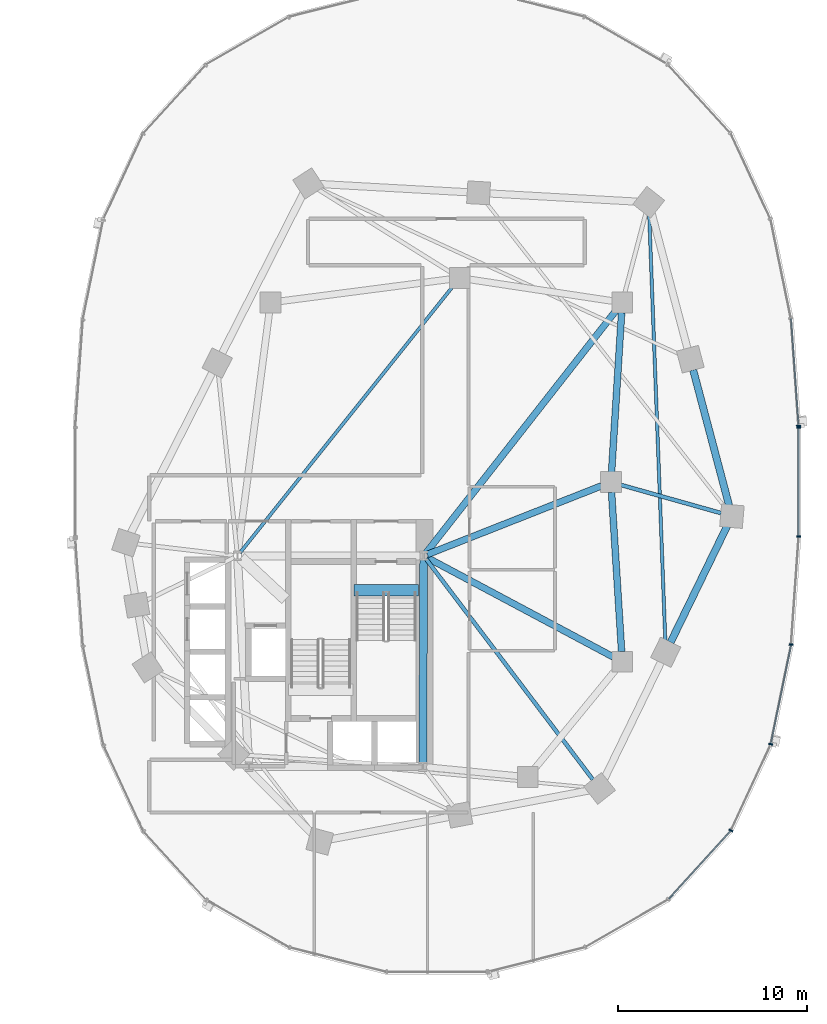
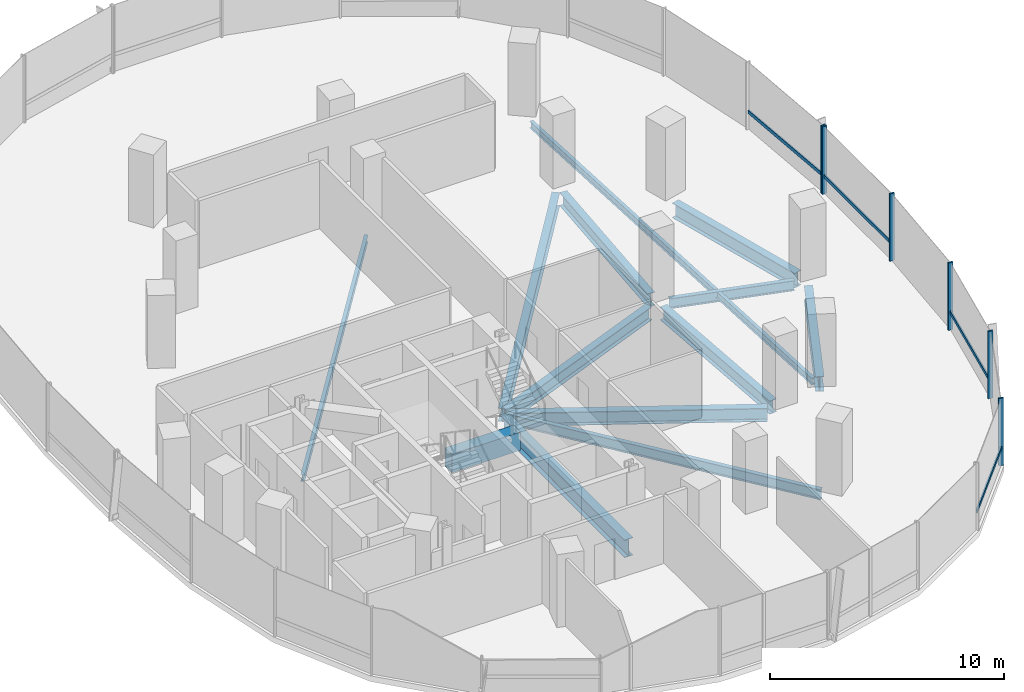
# One storey, part 6 of 21: 13 beams, 10 members, 2 elements without a shape of their own.
"""IFC4 building model written with IfcOpenShell, lengths in metres."""

from ifc_helpers import new_model, si_unit, direction, frame, origin, origin_2d, place, context, subcontext, project, spatial, rectangle, i_section, extrude, material, material_profile, profile_set, type_object, element, aggregate, save


model = new_model("IFC4")

# Units and contexts
model_context = context("Model", 3, precision=1e-05, world=origin(), true_north=direction((0.0, 1.0)))
body_context = subcontext(model_context, "Body", "Model", "MODEL_VIEW")
ifc_project = project(units=[si_unit("LENGTHUNIT", "METRE"), si_unit("AREAUNIT", "SQUARE_METRE"), si_unit("VOLUMEUNIT", "CUBIC_METRE"), si_unit("PLANEANGLEUNIT", "RADIAN"), si_unit("MASSUNIT", "GRAM", prefix="KILO"), si_unit("THERMODYNAMICTEMPERATUREUNIT", "KELVIN"), si_unit("POWERUNIT", "WATT")], contexts=[model_context])

# Site, building, storey
site_placement = place(None, origin())
site = spatial("IfcSite", under=ifc_project, at=site_placement, CompositionType="ELEMENT")
building_placement = place(site_placement, origin())
building = spatial("IfcBuilding", under=site, at=building_placement, Name="Cundina Bronze Exchange", CompositionType="ELEMENT")
storey_placement = place(building_placement, frame((0.0, 0.0, 73.39990234375)))
storey = spatial("IfcBuildingStorey", under=building, at=storey_placement, Name="L18", CompositionType="ELEMENT", Elevation=73.39990234375)

# Beams
ifc_material_1 = material(Name="Concrete C60/75", Category="concrete")
ifc_material_profile_1 = material_profile(ifc_material_1, rectangle(XDim=0.60009765625, YDim=0.949951171875, at=origin_2d()), Name="RC600X950", Category="concrete")
ifc_profile_set_1 = profile_set([ifc_material_profile_1], Name="Concrete C60/75")
beam_type_1 = type_object("IfcBeamType", Name="BM-COUP-RC950", PredefinedType="LINTEL", material=ifc_profile_set_1)
beam_1_placement = place(storey_placement, frame((27.6201171875, -5.719970703125, -0.474853515625), z_axis=(1.0, 0.0, 0.0), x_axis=(0.0, 1.0, 0.0)))
element("IfcBeam", 1, at=beam_1_placement, inside=storey, type_object=beam_type_1, Name="L18 Stair E1 Landing Header Beam", PredefinedType="LINTEL", context=body_context, shape_type="SweptSolid", body=[
    extrude(rectangle(XDim=0.60009765625, YDim=0.949951171875, at=origin_2d()), origin(), (0.0, 0.0, 1.0), 3.39990234375),
])
ifc_material_2 = material(Name="Steel ASTM A992 Grade 50", Category="steel")
ifc_material_profile_2 = material_profile(ifc_material_2, i_section(OverallWidth=0.2099609375, OverallDepth=0.532958984375, WebThickness=0.01025390625, FlangeThickness=0.015625, FilletRadius=0.013916015625, at=origin_2d()), Name="W21X62", Category="steel")
ifc_profile_set_2 = profile_set([ifc_material_profile_2], Name="Steel ASTM A992 Grade 50")
beam_type_2 = type_object("IfcBeamType", Name="BM-FLR-W21B", PredefinedType="BEAM", material=ifc_profile_set_2)
beam_2_placement = place(storey_placement, frame((31.423095703125, -4.062744140625, -0.56640625), z_axis=(0.603106461849, -0.797660702101, 0.0), x_axis=(0.797660702101, 0.603106461849, 0.0)))
element("IfcBeam", 2, at=beam_2_placement, inside=storey, type_object=beam_type_2, Name="L18 Leg E Chordal Floor Beam 06", PredefinedType="BEAM", context=body_context, shape_type="SweptSolid", body=[
    extrude(i_section(OverallWidth=0.2099609375, OverallDepth=0.532958984375, WebThickness=0.01025390625, FlangeThickness=0.015625, FilletRadius=0.013916015625, at=origin_2d()), origin(), (0.0, 0.0, 1.0), 14.6279296875),
])
beam_3_placement = place(storey_placement, frame((41.718017578125, -0.145751953125, -0.56640625), z_axis=(0.962650219971, -0.270748137554, 0.0), x_axis=(0.270748137554, 0.962650219971, 0.0)))
element("IfcBeam", 3, at=beam_3_placement, inside=storey, type_object=beam_type_2, Name="L18 Leg E Chordal Floor Beam 08", PredefinedType="BEAM", context=body_context, shape_type="SweptSolid", body=[
    extrude(i_section(OverallWidth=0.2099609375, OverallDepth=0.532958984375, WebThickness=0.01025390625, FlangeThickness=0.015625, FilletRadius=0.013916015625, at=origin_2d()), origin(), (0.0, 0.0, 1.0), 5.522216796875),
])
ifc_material_profile_3 = material_profile(ifc_material_2, i_section(OverallWidth=0.172119140625, OverallDepth=0.35791015625, WebThickness=0.0078125, FlangeThickness=0.01318359375, FilletRadius=0.010009765625, at=origin_2d()), Name="W14X38", Category="steel")
ifc_profile_set_3 = profile_set([ifc_material_profile_3], Name="Steel ASTM A992 Grade 50")
beam_type_3 = type_object("IfcBeamType", Name="BM-JST-W14", PredefinedType="JOIST", material=ifc_profile_set_3)
beam_4_placement = place(storey_placement, frame((21.577392578125, -3.740478515625, -0.47900390625), z_axis=(0.62436887964, 0.781129632095, 0.0), x_axis=(-0.781129632095, 0.62436887964, 0.0)))
element("IfcBeam", 4, at=beam_4_placement, inside=storey, type_object=beam_type_3, Name="L18 E Interior Core-to-Ring Joist 2", PredefinedType="JOIST", context=body_context, shape_type="SweptSolid", body=[
    extrude(i_section(OverallWidth=0.172119140625, OverallDepth=0.35791015625, WebThickness=0.0078125, FlangeThickness=0.01318359375, FilletRadius=0.010009765625, at=origin_2d()), origin(), (0.0, 0.0, 1.0), 18.076904296875),
])
beam_5_placement = place(storey_placement, frame((44.077880859375, -8.412353515625, -0.47900390625), z_axis=(-0.037794949147, 0.999285515666, 0.0), x_axis=(-0.999285515666, -0.037794949147, 0.0)))
element("IfcBeam", 5, at=beam_5_placement, inside=storey, type_object=beam_type_3, Name="L18 Leg E Lobe Floor Joist 07-10", PredefinedType="JOIST", context=body_context, shape_type="SweptSolid", body=[
    extrude(i_section(OverallWidth=0.172119140625, OverallDepth=0.35791015625, WebThickness=0.0078125, FlangeThickness=0.01318359375, FilletRadius=0.010009765625, at=origin_2d()), origin(), (0.0, 0.0, 1.0), 22.640869140625),
])
ifc_material_profile_4 = material_profile(ifc_material_2, i_section(OverallWidth=0.35498046875, OverallDepth=0.695068359375, WebThickness=0.015380859375, FlangeThickness=0.02490234375, FilletRadius=0.01806640625, at=origin_2d()), Name="W27X146", Category="steel")
ifc_profile_set_4 = profile_set([ifc_material_profile_4], Name="Steel ASTM A992 Grade 50")
beam_type_4 = type_object("IfcBeamType", Name="BM-RING-W27", PredefinedType="USERDEFINED", material=ifc_profile_set_4)
for number, where, z_axis, x_axis, name in (
    (6, (41.76611328125, -8.963134765625, -0.6474609375), (-0.06303715519, 0.998011180832, 0.0), (-0.998011180832, -0.06303715519, 0.0), "L18 E Inner Structural Ring Girder 03"),
    (7, (41.23388671875, 0.536865234375, -0.6474609375), (0.06303715519, 0.998011180832, 0.0), (-0.998011180832, 0.06303715519, 0.0), "L18 E Inner Structural Ring Girder 04"),
):
    element("IfcBeam", number, at=place(storey_placement, frame(where, z_axis=z_axis, x_axis=x_axis)), inside=storey, type_object=beam_type_4, Name=name, ObjectType="GIRDER", PredefinedType="USERDEFINED", context=body_context, shape_type="SweptSolid", body=[
        extrude(i_section(OverallWidth=0.35498046875, OverallDepth=0.695068359375, WebThickness=0.015380859375, FlangeThickness=0.02490234375, FilletRadius=0.01806640625, at=origin_2d()), origin(), (0.0, 0.0, 1.0), 8.443115234375),
    ])
beam_6_placement = place(storey_placement, frame((31.48974609375, -3.8251953125, -0.6474609375), z_axis=(0.930413235418, 0.366512225388, 0.0), x_axis=(-0.366512225388, 0.930413235418, 0.0)))
element("IfcBeam", 8, at=beam_6_placement, inside=storey, type_object=beam_type_4, Name="L18 E Core-to-Waist Tie Beam 1", ObjectType="GIRDER", PredefinedType="USERDEFINED", context=body_context, shape_type="SweptSolid", body=[
    extrude(i_section(OverallWidth=0.35498046875, OverallDepth=0.695068359375, WebThickness=0.015380859375, FlangeThickness=0.02490234375, FilletRadius=0.01806640625, at=origin_2d()), origin(), (0.0, 0.0, 1.0), 9.8984375),
])
beam_7_placement = place(storey_placement, frame((31.47998046875, -3.99609375, -0.6474609375), z_axis=(0.882354758239, -0.470584828286, 0.0), x_axis=(0.470584828286, 0.882354758239, 0.0)))
element("IfcBeam", 9, at=beam_7_placement, inside=storey, type_object=beam_type_4, Name="L18 E Core-to-Waist Tie Beam 2", ObjectType="GIRDER", PredefinedType="USERDEFINED", context=body_context, shape_type="SweptSolid", body=[
    extrude(i_section(OverallWidth=0.35498046875, OverallDepth=0.695068359375, WebThickness=0.015380859375, FlangeThickness=0.02490234375, FilletRadius=0.01806640625, at=origin_2d()), origin(), (0.0, 0.0, 1.0), 11.157958984375),
])
beam_8_placement = place(storey_placement, frame((31.42578125, -3.739501953125, -0.6474609375), z_axis=(0.616789275748, 0.787128318206, 0.0), x_axis=(-0.787128318206, 0.616789275748, 0.0)))
element("IfcBeam", 10, at=beam_8_placement, inside=storey, type_object=beam_type_4, Name="L18 E Core-to-Waist Tie Beam 3", ObjectType="GIRDER", PredefinedType="USERDEFINED", context=body_context, shape_type="SweptSolid", body=[
    extrude(i_section(OverallWidth=0.35498046875, OverallDepth=0.695068359375, WebThickness=0.015380859375, FlangeThickness=0.02490234375, FilletRadius=0.01806640625, at=origin_2d()), origin(), (0.0, 0.0, 1.0), 16.281982421875),
])
ifc_material_profile_5 = material_profile(ifc_material_2, i_section(OverallWidth=0.381103515625, OverallDepth=0.77294921875, WebThickness=0.0166015625, FlangeThickness=0.027099609375, FilletRadius=0.01904296875, at=origin_2d()), Name="W30X173", Category="steel")
ifc_profile_set_5 = profile_set([ifc_material_profile_5], Name="Steel ASTM A992 Grade 50")
beam_type_5 = type_object("IfcBeamType", Name="BM-RING-W30", PredefinedType="USERDEFINED", material=ifc_profile_set_5)
beam_9_placement = place(storey_placement, frame((44.357177734375, -8.47119140625, -0.6865234375), z_axis=(0.437190698904, 0.899368830231, 0.0), x_axis=(-0.899368830231, 0.437190698904, 0.0)))
element("IfcBeam", 11, at=beam_9_placement, inside=storey, type_object=beam_type_5, Name="L18 E Perimeter Ring Girder 07", ObjectType="GIRDER", PredefinedType="USERDEFINED", context=body_context, shape_type="SweptSolid", body=[
    extrude(i_section(OverallWidth=0.381103515625, OverallDepth=0.77294921875, WebThickness=0.0166015625, FlangeThickness=0.027099609375, FilletRadius=0.01904296875, at=origin_2d()), origin(), (0.0, 0.0, 1.0), 6.82958984375),
])
beam_10_placement = place(storey_placement, frame((47.44921875, -1.231689453125, -0.6865234375), z_axis=(-0.256177785604, 0.966629682021, 0.0), x_axis=(-0.966629682021, -0.256177785604, 0.0)))
element("IfcBeam", 12, at=beam_10_placement, inside=storey, type_object=beam_type_5, Name="L18 E Perimeter Ring Girder 08", ObjectType="GIRDER", PredefinedType="USERDEFINED", context=body_context, shape_type="SweptSolid", body=[
    extrude(i_section(OverallWidth=0.381103515625, OverallDepth=0.77294921875, WebThickness=0.0166015625, FlangeThickness=0.027099609375, FilletRadius=0.01904296875, at=origin_2d()), origin(), (0.0, 0.0, 1.0), 7.41064453125),
])
ifc_material_profile_6 = material_profile(ifc_material_2, i_section(OverallWidth=0.41796875, OverallDepth=0.927001953125, WebThickness=0.019287109375, FlangeThickness=0.031982421875, FilletRadius=0.02392578125, at=origin_2d()), Name="W36X231", Category="steel")
ifc_profile_set_6 = profile_set([ifc_material_profile_6], Name="Steel ASTM A992 Grade 50")
beam_type_6 = type_object("IfcBeamType", Name="BM-WRN-W36B", PredefinedType="USERDEFINED", material=ifc_profile_set_6)
beam_11_placement = place(storey_placement, frame((31.2509765625, -14.845947265625, -0.763427734375), z_axis=(0.004477329608, 0.99998997671, 0.0), x_axis=(-0.99998997671, 0.004477329608, 0.0)))
element("IfcBeam", 13, at=beam_11_placement, inside=storey, type_object=beam_type_6, Name="L18 E Core Perimeter Tie Girder 4", ObjectType="GIRDER", PredefinedType="USERDEFINED", context=body_context, shape_type="SweptSolid", body=[
    extrude(i_section(OverallWidth=0.41796875, OverallDepth=0.927001953125, WebThickness=0.019287109375, FlangeThickness=0.031982421875, FilletRadius=0.02392578125, at=origin_2d()), origin(), (0.0, 0.0, 1.0), 10.741943359375),
])

# Curtain wall, member
ifc_material_3 = material(Name="Anodised Bronze Aluminium 6063-T6", Category="aluminium")
curtain_wall_type = type_object("IfcCurtainWallType", Name="CWS-TRD-LOW", PredefinedType="NOTDEFINED", material=ifc_material_3)
curtain_wall_1_placement = place(storey_placement, origin())
curtain_wall_1 = element("IfcCurtainWall", 14, at=curtain_wall_1_placement, inside=storey, type_object=curtain_wall_type, Name="L18 CW-02 Curtain Wall Run CWR-L18-E1", PredefinedType="NOTDEFINED")
ifc_material_profile_7 = material_profile(ifc_material_3, rectangle(XDim=0.074951171875, YDim=0.219970703125, at=origin_2d()), Name="AL75X220", Category="aluminium")
ifc_profile_set_7 = profile_set([ifc_material_profile_7], Name="Anodised Bronze Aluminium 6063-T6")
member_type_1 = type_object("IfcMemberType", Name="CWM-MUL-220", PredefinedType="MULLION", material=ifc_profile_set_7)
member_1_placement = place(storey_placement, frame((51.12451171875, 2.976318359375, 0.0), z_axis=(0.0, 0.0, 1.0), x_axis=(-0.070278787473, 0.997527389113, 0.0)))
member_1 = element("IfcMember", 15, at=member_1_placement, type_object=member_type_1, Name="CW-02 Mullion 1", PredefinedType="MULLION", context=body_context, shape_type="SweptSolid", body=[
    extrude(rectangle(XDim=0.074951171875, YDim=0.219970703125, at=origin_2d()), origin(), (0.0, 0.0, 1.0), 3.52001953125),
])

# Curtain wall, members
curtain_wall_2_placement = place(storey_placement, origin())
curtain_wall_2 = element("IfcCurtainWall", 16, at=curtain_wall_2_placement, inside=storey, type_object=curtain_wall_type, Name="L18 CW-02 Curtain Wall Run CWR-L18-E4", PredefinedType="NOTDEFINED")
member_2_placement = place(storey_placement, frame((47.544189453125, -18.423583984375, 0.0), z_axis=(0.0, 0.0, 1.0), x_axis=(0.42087749791, 0.907117485088, 0.0)))
member_2 = element("IfcMember", 17, at=member_2_placement, type_object=member_type_1, Name="CW-02 Mullion 4", PredefinedType="MULLION", context=body_context, shape_type="SweptSolid", body=[
    extrude(rectangle(XDim=0.074951171875, YDim=0.219970703125, at=origin_2d()), origin(), (0.0, 0.0, 1.0), 3.52001953125),
])
member_3_placement = place(storey_placement, frame((49.651123046875, -13.861328125, 0.0), z_axis=(0.0, 0.0, 1.0), x_axis=(0.201419845156, 0.979505000486, 0.0)))
member_3 = element("IfcMember", 18, at=member_3_placement, type_object=member_type_1, Name="CW-02 Mullion 5", PredefinedType="MULLION", context=body_context, shape_type="SweptSolid", body=[
    extrude(rectangle(XDim=0.074951171875, YDim=0.219970703125, at=origin_2d()), origin(), (0.0, 0.0, 1.0), 3.52001953125),
])
member_4_placement = place(storey_placement, frame((50.72900390625, -8.591552734375, 0.0), z_axis=(0.0, 0.0, 1.0), x_axis=(0.070278787473, 0.997527389113, 0.0)))
member_4 = element("IfcMember", 19, at=member_4_placement, type_object=member_type_1, Name="CW-02 Mullion 6", PredefinedType="MULLION", context=body_context, shape_type="SweptSolid", body=[
    extrude(rectangle(XDim=0.074951171875, YDim=0.219970703125, at=origin_2d()), origin(), (0.0, 0.0, 1.0), 3.52001953125),
])
member_5_placement = place(storey_placement, frame((51.1279296875, -2.880615234375, 0.0), z_axis=(0.0, 0.0, 1.0), x_axis=(0.0, 1.0, 0.0)))
member_5 = element("IfcMember", 20, at=member_5_placement, type_object=member_type_1, Name="CW-02 Mullion 7", PredefinedType="MULLION", context=body_context, shape_type="SweptSolid", body=[
    extrude(rectangle(XDim=0.074951171875, YDim=0.219970703125, at=origin_2d()), origin(), (0.0, 0.0, 1.0), 3.52001953125),
])
member_6_placement = place(storey_placement, frame((51.1279296875, 2.880615234375, 0.0), z_axis=(0.0, 0.0, 1.0), x_axis=(0.0, 1.0, 0.0)))
member_6 = element("IfcMember", 21, at=member_6_placement, type_object=member_type_1, Name="CW-02 End Mullion", PredefinedType="MULLION", context=body_context, shape_type="SweptSolid", body=[
    extrude(rectangle(XDim=0.074951171875, YDim=0.219970703125, at=origin_2d()), origin(), (0.0, 0.0, 1.0), 3.52001953125),
])

# Member
ifc_material_profile_8 = material_profile(ifc_material_3, rectangle(XDim=0.070068359375, YDim=0.179931640625, at=origin_2d()), Name="AL70X180", Category="aluminium")
ifc_profile_set_8 = profile_set([ifc_material_profile_8], Name="Anodised Bronze Aluminium 6063-T6")
member_type_2 = type_object("IfcMemberType", Name="CWM-TRN-180", PredefinedType="USERDEFINED", material=ifc_profile_set_8)
member_7_placement = place(storey_placement, frame((51.12158203125, 3.017333984375, 0.920166015625), z_axis=(-0.070260714471, 0.997528662246, 0.0), x_axis=(-0.997528662246, -0.070260714471, 0.0)))
member_7 = element("IfcMember", 22, at=member_7_placement, type_object=member_type_2, Name="CW-02 Spandrel Transom 1", ObjectType="TRANSOM", PredefinedType="USERDEFINED", context=body_context, shape_type="SweptSolid", body=[
    extrude(rectangle(XDim=0.070068359375, YDim=0.179931640625, at=origin_2d()), origin(), (0.0, 0.0, 1.0), 5.629150390625),
])

aggregate(curtain_wall_1, [member_1, member_7])

member_8_placement = place(storey_placement, frame((44.26708984375, -22.027099609375, 0.920166015625), z_axis=(0.674302794847, 0.738454968743, 0.0), x_axis=(-0.738454968743, 0.674302794847, 0.0)))
member_8 = element("IfcMember", 23, at=member_8_placement, type_object=member_type_2, Name="CW-02 Spandrel Transom 3", ObjectType="TRANSOM", PredefinedType="USERDEFINED", context=body_context, shape_type="SweptSolid", body=[
    extrude(rectangle(XDim=0.070068359375, YDim=0.179931640625, at=origin_2d()), origin(), (0.0, 0.0, 1.0), 4.848388671875),
])

member_9_placement = place(storey_placement, frame((49.659423828125, -13.821044921875, 0.920166015625), z_axis=(0.201427712708, 0.979503382615, 0.0), x_axis=(-0.979503382615, 0.201427712708, 0.0)))
member_9 = element("IfcMember", 24, at=member_9_placement, type_object=member_type_2, Name="CW-02 Spandrel Transom 5", ObjectType="TRANSOM", PredefinedType="USERDEFINED", context=body_context, shape_type="SweptSolid", body=[
    extrude(rectangle(XDim=0.070068359375, YDim=0.179931640625, at=origin_2d()), origin(), (0.0, 0.0, 1.0), 5.291748046875),
])

member_10_placement = place(storey_placement, frame((51.1279296875, -2.839111328125, 0.920166015625), z_axis=(0.0, 1.0, 0.0), x_axis=(-1.0, 0.0, 0.0)))
member_10 = element("IfcMember", 25, at=member_10_placement, type_object=member_type_2, Name="CW-02 Spandrel Transom 7", ObjectType="TRANSOM", PredefinedType="USERDEFINED", context=body_context, shape_type="SweptSolid", body=[
    extrude(rectangle(XDim=0.070068359375, YDim=0.179931640625, at=origin_2d()), origin(), (0.0, 0.0, 1.0), 5.67822265625),
])

aggregate(curtain_wall_2, [member_8, member_2, member_3, member_9, member_4, member_5, member_6, member_10])

save(model, "model.ifc")
